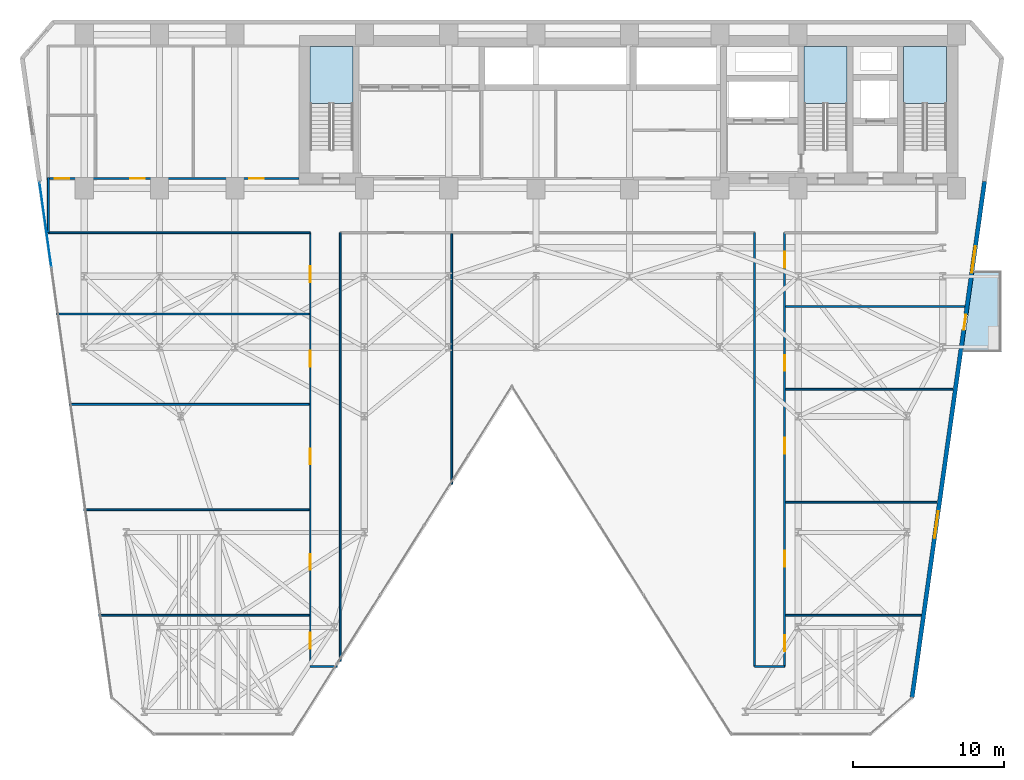
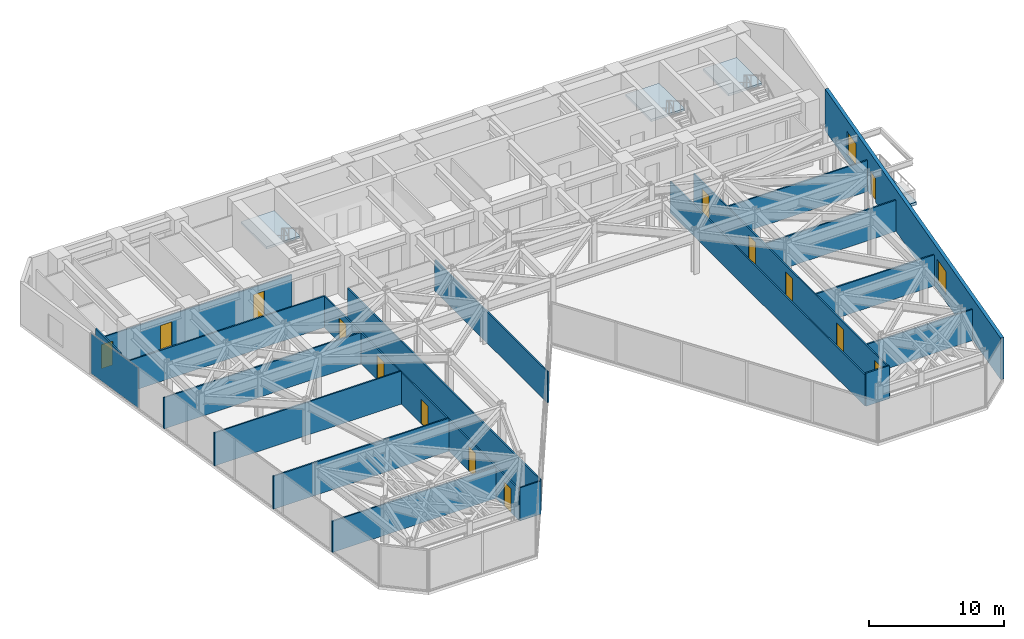
# One storey, part 19 of 24: 19 walls, 14 doors, 4 slabs, 2 windows, 1 plate, 16 openings, 4 elements without a shape of their own.
"""IFC4 building model written with IfcOpenShell, lengths in metres."""

import ifcopenshell
import ifcopenshell.guid

model = None  # the IFC model being written
_history = None  # IfcOwnerHistory: only IFC2X3 demands one
_inside = {}  # id of a spatial element -> (the spatial element, [elements in it])
_under = {}  # id of a project, library or spatial element -> (it, [spatial elements below it])
_declared = {}  # id of a project -> (the project, [libraries it declares])
_typed = {}  # id of a type object -> (the type object, [elements of that type])
_made_of = {}  # id of a material, layer set ... -> (it, [elements and type objects made of it])


def new_model(schema):
    """Start an empty IFC model of exactly this schema.

    Asked for "IFC4X3", IfcOpenShell would pick the latest addendum, in which some entities
    have other attributes; the version numbers below select the first issue.
    IFC2X3 requires an IfcOwnerHistory on every rooted entity: one is made here for all.
    """
    global model, _history
    if schema == "IFC4X3":
        model = ifcopenshell.file(schema_version=(4, 3, 0, 0))
    else:
        model = ifcopenshell.file(schema=schema)
    _inside.clear()
    _under.clear()
    _declared.clear()
    _typed.clear()
    _made_of.clear()
    _history = None
    if model.schema == "IFC2X3":
        org = make("IfcOrganization", Name="unknown")
        user = make(
            "IfcPersonAndOrganization",
            ThePerson=make("IfcPerson", FamilyName="unknown"),
            TheOrganization=org,
        )
        app = make(
            "IfcApplication",
            ApplicationDeveloper=org,
            Version="unknown",
            ApplicationFullName="unknown",
            ApplicationIdentifier="unknown",
        )
        _history = make(
            "IfcOwnerHistory",
            OwningUser=user,
            OwningApplication=app,
            ChangeAction="ADDED",
            CreationDate=0,
        )
    return model


def make(cls, **values):
    """One entity of the class cls with the attributes given. An attribute that is None is left unset."""
    return model.create_entity(
        cls, **{name: value for name, value in values.items() if value is not None}
    )


def rooted(cls, **values):
    """An entity with a GlobalId (a new one), such as an element, a storey or a relation."""
    return make(cls, GlobalId=ifcopenshell.guid.new(), OwnerHistory=_history, **values)


def si_unit(unit_type, name, prefix=None):
    """IfcSIUnit, for example si_unit("LENGTHUNIT", "METRE", prefix="MILLI")."""
    return make("IfcSIUnit", UnitType=unit_type, Prefix=prefix, Name=name)


def assignment(units):
    """IfcUnitAssignment: the units of a project."""
    return None if units is None else make("IfcUnitAssignment", Units=units)


def point(xyz):
    """IfcCartesianPoint."""
    return None if xyz is None else make("IfcCartesianPoint", Coordinates=xyz)


def direction(xyz):
    """IfcDirection."""
    return None if xyz is None else make("IfcDirection", DirectionRatios=xyz)


def frame(location, z_axis=None, x_axis=None):
    """IfcAxis2Placement3D, a coordinate frame: its origin and axes. An axis left out is left unset."""
    return make(
        "IfcAxis2Placement3D",
        Location=point(location),
        Axis=direction(z_axis),
        RefDirection=direction(x_axis),
    )


def frame_2d(location, x_axis=None):
    """IfcAxis2Placement2D, a coordinate frame in the plane: its origin and x axis."""
    return make(
        "IfcAxis2Placement2D", Location=point(location), RefDirection=direction(x_axis)
    )


def origin():
    """The frame at (0, 0, 0) with its axes left unset."""
    return frame((0.0, 0.0, 0.0))


def origin_2d():
    """The frame at (0, 0) in the plane with its x axis left unset."""
    return frame_2d((0.0, 0.0))


def place(relative_to, where):
    """IfcLocalPlacement: puts the frame where relative to a parent placement (None: the world)."""
    return make(
        "IfcLocalPlacement", PlacementRelTo=relative_to, RelativePlacement=where
    )


def context(
    kind, dimensions, precision=None, world=None, true_north=None, identifier=None
):
    """IfcGeometricRepresentationContext, for example the 3D "Model" context."""
    return make(
        "IfcGeometricRepresentationContext",
        ContextIdentifier=identifier,
        ContextType=kind,
        CoordinateSpaceDimension=dimensions,
        Precision=precision,
        WorldCoordinateSystem=world,
        TrueNorth=true_north,
    )


def subcontext(parent, identifier, kind, view, scale=None):
    """IfcGeometricRepresentationSubContext, for example "Body" below "Model"."""
    return make(
        "IfcGeometricRepresentationSubContext",
        ContextIdentifier=identifier,
        ContextType=kind,
        ParentContext=parent,
        TargetScale=scale,
        TargetView=view,
    )


def project(units=None, contexts=None):
    """IfcProject with its units and contexts."""
    return rooted(
        "IfcProject",
        Name="project",
        RepresentationContexts=contexts,
        UnitsInContext=assignment(units),
    )


def spatial(cls, under=None, at=None, **own):
    """A site, building, storey or space (cls), placed at a placement, below another one or the project."""
    s = rooted(cls, ObjectPlacement=at, **own)
    if under is not None:
        _under.setdefault(under.id(), (under, []))[1].append(s)
    return s


def polyline(points):
    """IfcPolyline through the points."""
    return make("IfcPolyline", Points=[point(p) for p in points])


def profile(cls, at=None, kind="AREA", **sizes):
    """A parametric profile (cls). Its sizes go by their IFC names, for example OverallWidth=200.0."""
    return make(cls, ProfileType=kind, Position=at, **sizes)


def rectangle(**sizes):
    """IfcRectangleProfileDef."""
    return profile("IfcRectangleProfileDef", **sizes)


def outline(outer, holes=None, kind="AREA"):
    """IfcArbitraryClosedProfileDef: a profile drawn as a closed curve; with holes, ...WithVoids."""
    if holes is None:
        return make("IfcArbitraryClosedProfileDef", ProfileType=kind, OuterCurve=outer)
    return make(
        "IfcArbitraryProfileDefWithVoids",
        ProfileType=kind,
        OuterCurve=outer,
        InnerCurves=holes,
    )


def extrude(swept, where, along, depth):
    """IfcExtrudedAreaSolid: the profile swept, set in the frame where, extruded along a direction by depth."""
    return make(
        "IfcExtrudedAreaSolid",
        SweptArea=swept,
        Position=where,
        ExtrudedDirection=direction(along),
        Depth=depth,
    )


def shape(context_of_items, identifier, shape_type, items):
    """IfcShapeRepresentation: the items that make up one representation, for example the "Body"."""
    return make(
        "IfcShapeRepresentation",
        ContextOfItems=context_of_items,
        RepresentationIdentifier=identifier,
        RepresentationType=shape_type,
        Items=items,
    )


def material(Name=None, Category=None):
    """IfcMaterial."""
    return make("IfcMaterial", Name=Name, Category=Category)


def layer(
    of_material, thickness, ventilated=None, Name=None, Category=None, Priority=None
):
    """IfcMaterialLayer: one layer of a wall or slab, of a material (None: an air gap)."""
    return make(
        "IfcMaterialLayer",
        Material=of_material,
        LayerThickness=thickness,
        IsVentilated=ventilated,
        Name=Name,
        Category=Category,
        Priority=Priority,
    )


def layer_set(layers, Name=None):
    """IfcMaterialLayerSet."""
    return make("IfcMaterialLayerSet", MaterialLayers=layers, LayerSetName=Name)


def made_of(thing, what):
    """Note that an element or type object is made of a material, layer set ...; save() writes the relation."""
    if what is not None:
        _made_of.setdefault(what.id(), (what, []))[1].append(thing)
    return thing


def type_object(cls, material=None, **own):
    """A type object (cls), such as IfcWallType, which elements share."""
    return made_of(rooted(cls, **own), material)


def element(
    cls,
    number,
    at=None,
    inside=None,
    cuts=None,
    type_object=None,
    material=None,
    context=None,
    identifier="Body",
    shape_type=None,
    held_by="IfcProductDefinitionShape",
    body=None,
    shapes=None,
    **own,
):
    """One element of the class cls, such as IfcWall. Its Tag is "e" and its number.

    at: its placement. inside: the storey or other place that contains it. cuts: it is an
    opening in that element (IfcRelVoidsElement). A single representation is given by context,
    identifier, shape_type and body (its items); several are given by shapes. held_by: the class
    of the entity that holds the representations. save() writes the other relations.
    """
    e = rooted(cls, Tag="e%d" % number, ObjectPlacement=at, **own)
    if body is not None:
        shapes = [shape(context, identifier, shape_type, body)]
    if shapes is not None:
        e.Representation = make(held_by, Representations=shapes)
    if inside is not None:
        _inside.setdefault(inside.id(), (inside, []))[1].append(e)
    if cuts is not None:
        rooted(
            "IfcRelVoidsElement", RelatingBuildingElement=cuts, RelatedOpeningElement=e
        )
    if type_object is not None:
        _typed.setdefault(type_object.id(), (type_object, []))[1].append(e)
    return made_of(e, material)


def fill(opening, filler):
    """IfcRelFillsElement: the door or window that sits in an opening."""
    return rooted(
        "IfcRelFillsElement",
        RelatingOpeningElement=opening,
        RelatedBuildingElement=filler,
    )


def aggregate(whole, parts):
    """IfcRelAggregates: a whole, such as a stair, and the parts it consists of."""
    return rooted("IfcRelAggregates", RelatingObject=whole, RelatedObjects=parts)


def save(model, path):
    """Write the relations noted so far, then the file.

    IfcRelAggregates (storeys below a building ...), IfcRelContainedInSpatialStructure (elements
    in a storey), IfcRelDefinesByType, IfcRelAssociatesMaterial and IfcRelDeclares: one each for
    every whole, place, type object, material and project.
    """
    for whole, parts in _under.values():
        aggregate(whole, parts)
    for where, things in _inside.values():
        rooted(
            "IfcRelContainedInSpatialStructure",
            RelatedElements=things,
            RelatingStructure=where,
        )
    for kind, things in _typed.values():
        rooted("IfcRelDefinesByType", RelatedObjects=things, RelatingType=kind)
    for what, things in _made_of.values():
        rooted("IfcRelAssociatesMaterial", RelatedObjects=things, RelatingMaterial=what)
    for by, libraries in _declared.values():
        rooted("IfcRelDeclares", RelatingContext=by, RelatedDefinitions=libraries)
    model.write(path)


model = new_model("IFC4")

# Units and contexts
model_context = context("Model", 3, precision=1e-05, world=origin(), true_north=direction((0.0, 1.0)))
body_context = subcontext(model_context, "Body", "Model", "MODEL_VIEW")
ifc_project = project(units=[si_unit("LENGTHUNIT", "METRE"), si_unit("AREAUNIT", "SQUARE_METRE"), si_unit("VOLUMEUNIT", "CUBIC_METRE"), si_unit("PLANEANGLEUNIT", "RADIAN"), si_unit("MASSUNIT", "GRAM", prefix="KILO")], contexts=[model_context])

# Site, building, storey
site_placement = place(None, origin())
site = spatial("IfcSite", under=ifc_project, at=site_placement, CompositionType="ELEMENT")
building_placement = place(site_placement, origin())
building = spatial("IfcBuilding", under=site, at=building_placement, Name="Kravanh Interchange Tower", CompositionType="ELEMENT")
storey_placement = place(building_placement, frame((0.0, 0.0, 61.5)))
storey = spatial("IfcBuildingStorey", under=building, at=storey_placement, Name="L14", CompositionType="ELEMENT", Elevation=61.5)

# Stair, slab
ifc_material_1 = material(Name="Concrete C50/60", Category="concrete")
stair_type = type_object("IfcStairType", Name="Core Fire Exit Dogleg Stair Concrete C50/60", PredefinedType="HALF_TURN_STAIR", material=ifc_material_1)
stair_1_placement = place(storey_placement, origin())
stair_1 = element("IfcStair", 1, at=stair_1_placement, inside=storey, type_object=stair_type, Name="L14 Exit Stair ST1", PredefinedType="HALF_TURN_STAIR")
ifc_material_2 = material(Name="Concrete C50/60", Category="concrete")
ifc_layer_1 = layer(ifc_material_2, 0.199951171875)
ifc_layer_set_1 = layer_set([ifc_layer_1], Name="Concrete C50/60 Stair Half-Landing Slab 200mm")
slab_type_1 = type_object("IfcSlabType", Name="Concrete C50/60 Stair Half-Landing Slab 200mm", PredefinedType="LANDING", material=ifc_layer_set_1)
slab_1_placement = place(storey_placement, frame((0.0, 0.0, 1.800048828125)))
slab_1 = element("IfcSlab", 2, at=slab_1_placement, type_object=slab_type_1, Name="ST1 landing 1", PredefinedType="LANDING", context=body_context, shape_type="SweptSolid", body=[
    extrude(outline(polyline([(65.85009765625, 42.97998046875), (65.85009765625, 46.75), (63.0, 46.75), (63.0, 42.97998046875), (65.85009765625, 42.97998046875)])), origin(), (0.0, 0.0, 1.0), 0.199951171875),
])
aggregate(stair_1, [slab_1])

stair_2_placement = place(storey_placement, origin())
stair_2 = element("IfcStair", 3, at=stair_2_placement, inside=storey, type_object=stair_type, Name="L14 Exit Stair ST2", PredefinedType="HALF_TURN_STAIR")
slab_2_placement = place(storey_placement, frame((0.0, 0.0, 1.800048828125)))
slab_2 = element("IfcSlab", 4, at=slab_2_placement, type_object=slab_type_1, Name="ST2 landing 1", PredefinedType="LANDING", context=body_context, shape_type="SweptSolid", body=[
    extrude(outline(polyline([(59.25, 42.97998046875), (59.25, 46.75), (56.39990234375, 46.75), (56.39990234375, 42.97998046875), (59.25, 42.97998046875)])), origin(), (0.0, 0.0, 1.0), 0.199951171875),
])
aggregate(stair_2, [slab_2])

stair_3_placement = place(storey_placement, origin())
stair_3 = element("IfcStair", 5, at=stair_3_placement, inside=storey, type_object=stair_type, Name="L14 Exit Stair ST3", PredefinedType="HALF_TURN_STAIR")
slab_3_placement = place(storey_placement, frame((0.0, 0.0, 1.800048828125)))
slab_3 = element("IfcSlab", 6, at=slab_3_placement, type_object=slab_type_1, Name="ST3 landing 1", PredefinedType="LANDING", context=body_context, shape_type="SweptSolid", body=[
    extrude(outline(polyline([(26.449951171875, 42.97998046875), (26.449951171875, 46.75), (23.60009765625, 46.75), (23.60009765625, 42.97998046875), (26.449951171875, 42.97998046875)])), origin(), (0.0, 0.0, 1.0), 0.199951171875),
])
aggregate(stair_3, [slab_3])

# Slab
ifc_material_3 = material(Name="Concrete C50/60", Category="concrete")
ifc_layer_2 = layer(ifc_material_3, 0.199951171875)
ifc_layer_set_2 = layer_set([ifc_layer_2], Name="Planted Tree Balcony Slab Concrete C50/60 200mm")
slab_type_2 = type_object("IfcSlabType", Name="Planted Tree Balcony Slab Concrete C50/60 200mm", PredefinedType="USERDEFINED", material=ifc_layer_set_2)
slab_4_placement = place(storey_placement, frame((0.0, 0.0, -0.260009765625)))
element("IfcSlab", 7, at=slab_4_placement, inside=storey, type_object=slab_type_2, Name="L14 East Tree Planter Balcony Slab", ObjectType="BALCONY", PredefinedType="USERDEFINED", context=body_context, shape_type="SweptSolid", body=[
    extrude(outline(polyline([(69.489990234375, 31.8701171875), (69.489990234375, 26.469970703125), (66.9189453125, 26.469970703125), (67.677978515625, 31.8701171875), (69.489990234375, 31.8701171875)])), origin(), (0.0, 0.0, 1.0), 0.260009765625),
])

# Curtain wall, plate
ifc_material_4 = material(Name="Anodised Bronze Aluminium", Category="aluminium")
ifc_layer_3 = layer(ifc_material_4, 0.179931640625)
ifc_layer_set_3 = layer_set([ifc_layer_3], Name="Unitised Curtain Wall System CW-Z1 Lower Office")
curtain_wall_type = type_object("IfcCurtainWallType", Name="Unitised Curtain Wall System CW-Z1 Lower Office", PredefinedType="NOTDEFINED", material=ifc_layer_set_3)
curtain_wall_placement = place(storey_placement, origin())
curtain_wall = element("IfcCurtainWall", 8, at=curtain_wall_placement, inside=storey, type_object=curtain_wall_type, Name="L14 Unitised Curtain Wall CW-L14-01", PredefinedType="NOTDEFINED")
ifc_material_5 = material(Name="Low-E Laminated Architectural Glass", Category="glass")
ifc_layer_4 = layer(ifc_material_5, 0.028076171875)
ifc_layer_set_4 = layer_set([ifc_layer_4], Name="Solar-Control Double Glazing 28mm")
plate_type = type_object("IfcPlateType", Name="Solar-Control Double Glazing 28mm", PredefinedType="CURTAIN_PANEL", material=ifc_layer_set_4)
plate_placement = place(storey_placement, frame((6.028564453125, 34.927490234375, 0.06005859375), z_axis=(0.0, 0.0, 1.0), x_axis=(-0.139176538065, 0.990267585682, 0.0)))
plate = element("IfcPlate", 9, at=plate_placement, type_object=plate_type, Name="CW-Z1 panel 6.1", PredefinedType="CURTAIN_PANEL", context=body_context, shape_type="SweptSolid", body=[
    extrude(rectangle(XDim=5.66162109375, YDim=0.028076171875, at=origin_2d()), origin(), (0.0, 0.0, 1.0), 3.6201171875),
])
aggregate(curtain_wall, [plate])

# Wall, openings, doors
ifc_material_6 = material(Name="Double Acoustic Gypsum Board and Mineral Wool")
ifc_layer_5 = layer(ifc_material_6, 0.1201171875)
ifc_layer_set_5 = layer_set([ifc_layer_5], Name="Acoustic Office Drywall Partition 120mm")
wall_type_1 = type_object("IfcWallType", Name="Acoustic Office Drywall Partition 120mm", PredefinedType="PARTITIONING", material=ifc_layer_set_5)
wall_1_placement = place(storey_placement, frame((6.219970703125, 38.0, 0.0), z_axis=(0.0, 0.0, 1.0), x_axis=(1.0, 0.0, 0.0)))
wall_1 = element("IfcWall", 10, at=wall_1_placement, inside=storey, type_object=wall_type_1, Name="L14 Restroom Corridor Wall 7", PredefinedType="PARTITIONING", context=body_context, shape_type="SweptSolid", body=[
    extrude(rectangle(XDim=16.630126953125, YDim=0.1201171875, at=frame_2d((8.31494140625, 0.0))), origin(), (0.0, 0.0, 1.0), 2.81298828125),
])
opening_1_placement = place(wall_1_placement, frame((0.424072265625, 0.0, 0.0)))
opening_1 = element("IfcOpeningElement", 11, at=opening_1_placement, cuts=wall_1, Name="Opening D-95", PredefinedType="OPENING", context=body_context, shape_type="SweptSolid", body=[
    extrude(rectangle(XDim=0.949951171875, YDim=2.14990234375, at=frame_2d((0.47509765625, 1.074951171875))), frame((0.0, 0.070068359375, 0.0), z_axis=(0.0, -1.0, 0.0), x_axis=(1.0, 0.0, 0.0)), (0.0, 0.0, 1.0), 0.14013671875),
])
opening_2_placement = place(wall_1_placement, frame((5.444091796875, 0.0, 0.0)))
opening_2 = element("IfcOpeningElement", 12, at=opening_2_placement, cuts=wall_1, Name="Opening D-95", PredefinedType="OPENING", context=body_context, shape_type="SweptSolid", body=[
    extrude(rectangle(XDim=0.949951171875, YDim=2.14990234375, at=frame_2d((0.47509765625, 1.074951171875))), frame((0.0, 0.070068359375, 0.0), z_axis=(0.0, -1.0, 0.0), x_axis=(1.0, 0.0, 0.0)), (0.0, 0.0, 1.0), 0.14013671875),
])
opening_3_placement = place(wall_1_placement, frame((13.343994140625, 0.0, 0.0)))
opening_3 = element("IfcOpeningElement", 13, at=opening_3_placement, cuts=wall_1, Name="Opening D-95", PredefinedType="OPENING", context=body_context, shape_type="SweptSolid", body=[
    extrude(rectangle(XDim=0.949951171875, YDim=2.14990234375, at=frame_2d((0.47509765625, 1.074951171875))), frame((0.0, 0.070068359375, 0.0), z_axis=(0.0, -1.0, 0.0), x_axis=(1.0, 0.0, 0.0)), (0.0, 0.0, 1.0), 0.14013671875),
])
ifc_material_7 = material(Name="Laminate Solid-Core Timber", Category="wood")
door_type_1 = type_object("IfcDoorType", Name="Accessible Restroom Door 950x2150", OperationType="NOTDEFINED", PredefinedType="DOOR", material=ifc_material_7)
door_1_placement = place(opening_1_placement, origin())
door_1 = element("IfcDoor", 14, at=door_1_placement, inside=storey, type_object=door_type_1, Name="L14 Accessible WC Door", OperationType="SINGLE_SWING_RIGHT", OverallHeight=2.14990234375, OverallWidth=0.949951171875, PredefinedType="DOOR", context=body_context, shape_type="SweptSolid", body=[
    extrude(rectangle(XDim=0.949951171875, YDim=2.14990234375, at=frame_2d((0.47509765625, 1.074951171875))), frame((0.0, 0.02490234375, 0.0), z_axis=(0.0, -1.0, 0.0), x_axis=(1.0, 0.0, 0.0)), (0.0, 0.0, 1.0), 0.050048828125),
])
fill(opening_1, door_1)
door_2_placement = place(opening_2_placement, origin())
door_2 = element("IfcDoor", 15, at=door_2_placement, inside=storey, type_object=door_type_1, Name="L14 Female WC Door", OperationType="SINGLE_SWING_LEFT", OverallHeight=2.14990234375, OverallWidth=0.949951171875, PredefinedType="DOOR", context=body_context, shape_type="SweptSolid", body=[
    extrude(rectangle(XDim=0.949951171875, YDim=2.14990234375, at=frame_2d((0.47509765625, 1.074951171875))), frame((0.0, 0.02490234375, 0.0), z_axis=(0.0, -1.0, 0.0), x_axis=(1.0, 0.0, 0.0)), (0.0, 0.0, 1.0), 0.050048828125),
])
fill(opening_2, door_2)
door_3_placement = place(opening_3_placement, origin())
door_3 = element("IfcDoor", 16, at=door_3_placement, inside=storey, type_object=door_type_1, Name="L14 Male WC Door", OperationType="SINGLE_SWING_RIGHT", OverallHeight=2.14990234375, OverallWidth=0.949951171875, PredefinedType="DOOR", context=body_context, shape_type="SweptSolid", body=[
    extrude(rectangle(XDim=0.949951171875, YDim=2.14990234375, at=frame_2d((0.47509765625, 1.074951171875))), frame((0.0, 0.02490234375, 0.0), z_axis=(0.0, -1.0, 0.0), x_axis=(1.0, 0.0, 0.0)), (0.0, 0.0, 1.0), 0.050048828125),
])
fill(opening_3, door_3)

# Walls
wall_2_placement = place(storey_placement, frame((6.219970703125, 34.39990234375, 0.0), z_axis=(0.0, 0.0, 1.0), x_axis=(1.0, 0.0, 0.0)))
element("IfcWall", 17, at=wall_2_placement, inside=storey, type_object=wall_type_1, Name="L14 Interior Partition 13", PredefinedType="PARTITIONING", context=body_context, shape_type="SweptSolid", body=[
    extrude(rectangle(XDim=17.380126953125, YDim=0.1201171875, at=frame_2d((8.68994140625, 0.0))), origin(), (0.0, 0.0, 1.0), 2.81298828125),
])
wall_3_placement = place(storey_placement, frame((6.219970703125, 34.39990234375, 0.0), z_axis=(0.0, 0.0, 1.0), x_axis=(0.0, 1.0, 0.0)))
element("IfcWall", 18, at=wall_3_placement, inside=storey, type_object=wall_type_1, Name="L14 Interior Partition 16", PredefinedType="PARTITIONING", context=body_context, shape_type="SweptSolid", body=[
    extrude(rectangle(XDim=3.650146484375, YDim=0.1201171875, at=frame_2d((1.8251953125, 0.0))), origin(), (0.0, 0.0, 1.0), 3.739990234375),
])

# Wall, openings, doors
wall_4_placement = place(storey_placement, frame((23.60009765625, 5.60009765625, 0.0), z_axis=(0.0, 0.0, 1.0), x_axis=(0.0, 1.0, 0.0)))
wall_4 = element("IfcWall", 19, at=wall_4_placement, inside=storey, type_object=wall_type_1, Name="L14 Interior Partition 18", PredefinedType="PARTITIONING", context=body_context, shape_type="SweptSolid", body=[
    extrude(rectangle(XDim=28.7998046875, YDim=0.1201171875, at=frame_2d((14.39990234375, 0.0))), origin(), (0.0, 0.0, 1.0), 2.81298828125),
])
opening_4_placement = place(wall_4_placement, frame((1.175048828125, 0.0, 0.0)))
opening_4 = element("IfcOpeningElement", 20, at=opening_4_placement, cuts=wall_4, Name="Opening D-105", PredefinedType="OPENING", context=body_context, shape_type="SweptSolid", body=[
    extrude(rectangle(XDim=1.050048828125, YDim=2.199951171875, at=frame_2d((0.52490234375, 1.10009765625))), frame((0.0, 0.070068359375, 0.0), z_axis=(0.0, -1.0, 0.0), x_axis=(1.0, 0.0, 0.0)), (0.0, 0.0, 1.0), 0.14013671875),
])
opening_5_placement = place(wall_4_placement, frame((6.41552734375, 0.0, 0.0)))
opening_5 = element("IfcOpeningElement", 21, at=opening_5_placement, cuts=wall_4, Name="Opening D-105", PredefinedType="OPENING", context=body_context, shape_type="SweptSolid", body=[
    extrude(rectangle(XDim=1.050048828125, YDim=2.199951171875, at=frame_2d((0.52490234375, 1.10009765625))), frame((0.0, 0.070068359375, 0.0), z_axis=(0.0, -1.0, 0.0), x_axis=(1.0, 0.0, 0.0)), (0.0, 0.0, 1.0), 0.14013671875),
])
opening_6_placement = place(wall_4_placement, frame((13.41552734375, 0.0, 0.0)))
opening_6 = element("IfcOpeningElement", 22, at=opening_6_placement, cuts=wall_4, Name="Opening D-105", PredefinedType="OPENING", context=body_context, shape_type="SweptSolid", body=[
    extrude(rectangle(XDim=1.050048828125, YDim=2.199951171875, at=frame_2d((0.52490234375, 1.10009765625))), frame((0.0, 0.070068359375, 0.0), z_axis=(0.0, -1.0, 0.0), x_axis=(1.0, 0.0, 0.0)), (0.0, 0.0, 1.0), 0.14013671875),
])
opening_7_placement = place(wall_4_placement, frame((19.915283203125, 0.0, 0.0)))
opening_7 = element("IfcOpeningElement", 23, at=opening_7_placement, cuts=wall_4, Name="Opening D-105", PredefinedType="OPENING", context=body_context, shape_type="SweptSolid", body=[
    extrude(rectangle(XDim=1.050048828125, YDim=2.199951171875, at=frame_2d((0.52490234375, 1.10009765625))), frame((0.0, 0.070068359375, 0.0), z_axis=(0.0, -1.0, 0.0), x_axis=(1.0, 0.0, 0.0)), (0.0, 0.0, 1.0), 0.14013671875),
])
opening_8_placement = place(wall_4_placement, frame((25.509765625, 0.0, 0.0)))
opening_8 = element("IfcOpeningElement", 24, at=opening_8_placement, cuts=wall_4, Name="Opening D-105", PredefinedType="OPENING", context=body_context, shape_type="SweptSolid", body=[
    extrude(rectangle(XDim=1.050048828125, YDim=2.199951171875, at=frame_2d((0.52490234375, 1.10009765625))), frame((0.0, 0.070068359375, 0.0), z_axis=(0.0, -1.0, 0.0), x_axis=(1.0, 0.0, 0.0)), (0.0, 0.0, 1.0), 0.14013671875),
])
ifc_material_8 = material(Name="Acoustic Glazed Oak and Aluminium", Category="aluminium")
door_type_2 = type_object("IfcDoorType", Name="Office Workplace Door 1050x2200", OperationType="NOTDEFINED", PredefinedType="DOOR", material=ifc_material_8)
door_4_placement = place(opening_4_placement, origin())
door_4 = element("IfcDoor", 25, at=door_4_placement, inside=storey, type_object=door_type_2, Name="L14 Office W1 Door", OperationType="SINGLE_SWING_LEFT", OverallHeight=2.199951171875, OverallWidth=1.050048828125, PredefinedType="DOOR", context=body_context, shape_type="SweptSolid", body=[
    extrude(rectangle(XDim=1.050048828125, YDim=2.199951171875, at=frame_2d((0.52490234375, 1.10009765625))), frame((0.0, 0.02490234375, 0.0), z_axis=(0.0, -1.0, 0.0), x_axis=(1.0, 0.0, 0.0)), (0.0, 0.0, 1.0), 0.050048828125),
])
fill(opening_4, door_4)
door_5_placement = place(opening_5_placement, origin())
door_5 = element("IfcDoor", 26, at=door_5_placement, inside=storey, type_object=door_type_2, Name="L14 Office W2 Door", OperationType="SINGLE_SWING_RIGHT", OverallHeight=2.199951171875, OverallWidth=1.050048828125, PredefinedType="DOOR", context=body_context, shape_type="SweptSolid", body=[
    extrude(rectangle(XDim=1.050048828125, YDim=2.199951171875, at=frame_2d((0.52490234375, 1.10009765625))), frame((0.0, 0.02490234375, 0.0), z_axis=(0.0, -1.0, 0.0), x_axis=(1.0, 0.0, 0.0)), (0.0, 0.0, 1.0), 0.050048828125),
])
fill(opening_5, door_5)
door_6_placement = place(opening_6_placement, origin())
door_6 = element("IfcDoor", 27, at=door_6_placement, inside=storey, type_object=door_type_2, Name="L14 Office W3 Door", OperationType="SINGLE_SWING_LEFT", OverallHeight=2.199951171875, OverallWidth=1.050048828125, PredefinedType="DOOR", context=body_context, shape_type="SweptSolid", body=[
    extrude(rectangle(XDim=1.050048828125, YDim=2.199951171875, at=frame_2d((0.52490234375, 1.10009765625))), frame((0.0, 0.02490234375, 0.0), z_axis=(0.0, -1.0, 0.0), x_axis=(1.0, 0.0, 0.0)), (0.0, 0.0, 1.0), 0.050048828125),
])
fill(opening_6, door_6)
door_7_placement = place(opening_7_placement, origin())
door_7 = element("IfcDoor", 28, at=door_7_placement, inside=storey, type_object=door_type_2, Name="L14 West Balcony Office W4 Door", OperationType="SINGLE_SWING_RIGHT", OverallHeight=2.199951171875, OverallWidth=1.050048828125, PredefinedType="DOOR", context=body_context, shape_type="SweptSolid", body=[
    extrude(rectangle(XDim=1.050048828125, YDim=2.199951171875, at=frame_2d((0.52490234375, 1.10009765625))), frame((0.0, 0.02490234375, 0.0), z_axis=(0.0, -1.0, 0.0), x_axis=(1.0, 0.0, 0.0)), (0.0, 0.0, 1.0), 0.050048828125),
])
fill(opening_7, door_7)
door_8_placement = place(opening_8_placement, origin())
door_8 = element("IfcDoor", 29, at=door_8_placement, inside=storey, type_object=door_type_2, Name="L14 Office W5 Door", OperationType="SINGLE_SWING_LEFT", OverallHeight=2.199951171875, OverallWidth=1.050048828125, PredefinedType="DOOR", context=body_context, shape_type="SweptSolid", body=[
    extrude(rectangle(XDim=1.050048828125, YDim=2.199951171875, at=frame_2d((0.52490234375, 1.10009765625))), frame((0.0, 0.02490234375, 0.0), z_axis=(0.0, -1.0, 0.0), x_axis=(1.0, 0.0, 0.0)), (0.0, 0.0, 1.0), 0.050048828125),
])
fill(opening_8, door_8)

# Walls
wall_5_placement = place(storey_placement, frame((25.60009765625, 5.9453125, 0.0), z_axis=(0.0, 0.0, 1.0), x_axis=(0.0, 1.0, 0.0)))
element("IfcWall", 30, at=wall_5_placement, inside=storey, type_object=wall_type_1, Name="L14 Interior Partition 19", PredefinedType="PARTITIONING", context=body_context, shape_type="SweptSolid", body=[
    extrude(rectangle(XDim=28.45458984375, YDim=0.1201171875, at=frame_2d((14.227294921875, 0.0))), origin(), (0.0, 0.0, 1.0), 2.81298828125),
])
wall_6_placement = place(storey_placement, frame((23.60009765625, 5.60009765625, 0.0), z_axis=(0.0, 0.0, 1.0), x_axis=(1.0, 0.0, 0.0)))
element("IfcWall", 31, at=wall_6_placement, inside=storey, type_object=wall_type_1, Name="L14 Interior Partition 20", PredefinedType="PARTITIONING", context=body_context, shape_type="SweptSolid", body=[
    extrude(rectangle(XDim=1.7822265625, YDim=0.1201171875, at=frame_2d((0.89111328125, 0.0))), origin(), (0.0, 0.0, 1.0), 2.97802734375),
])
wall_7_placement = place(storey_placement, frame((53.10009765625, 5.60009765625, 0.0), z_axis=(0.0, 0.0, 1.0), x_axis=(0.0, 1.0, 0.0)))
element("IfcWall", 32, at=wall_7_placement, inside=storey, type_object=wall_type_1, Name="L14 Interior Partition 21", PredefinedType="PARTITIONING", context=body_context, shape_type="SweptSolid", body=[
    extrude(rectangle(XDim=28.7998046875, YDim=0.1201171875, at=frame_2d((14.39990234375, 0.0))), origin(), (0.0, 0.0, 1.0), 2.81298828125),
])

# Wall, openings, doors
wall_8_placement = place(storey_placement, frame((55.10009765625, 5.60009765625, 0.0), z_axis=(0.0, 0.0, 1.0), x_axis=(0.0, 1.0, 0.0)))
wall_8 = element("IfcWall", 33, at=wall_8_placement, inside=storey, type_object=wall_type_1, Name="L14 Interior Partition 22", PredefinedType="PARTITIONING", context=body_context, shape_type="SweptSolid", body=[
    extrude(rectangle(XDim=28.7998046875, YDim=0.1201171875, at=frame_2d((14.39990234375, 0.0))), origin(), (0.0, 0.0, 1.0), 2.81298828125),
])
opening_9_placement = place(wall_8_placement, frame((1.00927734375, 0.0, 0.0)))
opening_9 = element("IfcOpeningElement", 34, at=opening_9_placement, cuts=wall_8, Name="Opening D-105", PredefinedType="OPENING", context=body_context, shape_type="SweptSolid", body=[
    extrude(rectangle(XDim=1.050048828125, YDim=2.199951171875, at=frame_2d((0.52490234375, 1.10009765625))), frame((0.0, 0.070068359375, 0.0), z_axis=(0.0, -1.0, 0.0), x_axis=(1.0, 0.0, 0.0)), (0.0, 0.0, 1.0), 0.14013671875),
])
opening_10_placement = place(wall_8_placement, frame((6.625, 0.0, 0.0)))
opening_10 = element("IfcOpeningElement", 35, at=opening_10_placement, cuts=wall_8, Name="Opening D-105", PredefinedType="OPENING", context=body_context, shape_type="SweptSolid", body=[
    extrude(rectangle(XDim=1.050048828125, YDim=2.199951171875, at=frame_2d((0.52490234375, 1.10009765625))), frame((0.0, 0.070068359375, 0.0), z_axis=(0.0, -1.0, 0.0), x_axis=(1.0, 0.0, 0.0)), (0.0, 0.0, 1.0), 0.14013671875),
])
opening_11_placement = place(wall_8_placement, frame((14.125, 0.0, 0.0)))
opening_11 = element("IfcOpeningElement", 36, at=opening_11_placement, cuts=wall_8, Name="Opening D-105", PredefinedType="OPENING", context=body_context, shape_type="SweptSolid", body=[
    extrude(rectangle(XDim=1.050048828125, YDim=2.199951171875, at=frame_2d((0.52490234375, 1.10009765625))), frame((0.0, 0.070068359375, 0.0), z_axis=(0.0, -1.0, 0.0), x_axis=(1.0, 0.0, 0.0)), (0.0, 0.0, 1.0), 0.14013671875),
])
opening_12_placement = place(wall_8_placement, frame((19.62255859375, 0.0, 0.0)))
opening_12 = element("IfcOpeningElement", 37, at=opening_12_placement, cuts=wall_8, Name="Opening D-105", PredefinedType="OPENING", context=body_context, shape_type="SweptSolid", body=[
    extrude(rectangle(XDim=1.050048828125, YDim=2.199951171875, at=frame_2d((0.52490234375, 1.10009765625))), frame((0.0, 0.070068359375, 0.0), z_axis=(0.0, -1.0, 0.0), x_axis=(1.0, 0.0, 0.0)), (0.0, 0.0, 1.0), 0.14013671875),
])
opening_13_placement = place(wall_8_placement, frame((26.47998046875, 0.0, 0.0)))
opening_13 = element("IfcOpeningElement", 38, at=opening_13_placement, cuts=wall_8, Name="Opening D-105", PredefinedType="OPENING", context=body_context, shape_type="SweptSolid", body=[
    extrude(rectangle(XDim=1.050048828125, YDim=2.199951171875, at=frame_2d((0.52490234375, 1.10009765625))), frame((0.0, 0.070068359375, 0.0), z_axis=(0.0, -1.0, 0.0), x_axis=(1.0, 0.0, 0.0)), (0.0, 0.0, 1.0), 0.14013671875),
])
door_9_placement = place(opening_9_placement, origin())
door_9 = element("IfcDoor", 39, at=door_9_placement, inside=storey, type_object=door_type_2, Name="L14 Office E1 Door", OperationType="SINGLE_SWING_RIGHT", OverallHeight=2.199951171875, OverallWidth=1.050048828125, PredefinedType="DOOR", context=body_context, shape_type="SweptSolid", body=[
    extrude(rectangle(XDim=1.050048828125, YDim=2.199951171875, at=frame_2d((0.52490234375, 1.10009765625))), frame((0.0, 0.02490234375, 0.0), z_axis=(0.0, -1.0, 0.0), x_axis=(1.0, 0.0, 0.0)), (0.0, 0.0, 1.0), 0.050048828125),
])
fill(opening_9, door_9)
door_10_placement = place(opening_10_placement, origin())
door_10 = element("IfcDoor", 40, at=door_10_placement, inside=storey, type_object=door_type_2, Name="L14 Office E2 Door", OperationType="SINGLE_SWING_LEFT", OverallHeight=2.199951171875, OverallWidth=1.050048828125, PredefinedType="DOOR", context=body_context, shape_type="SweptSolid", body=[
    extrude(rectangle(XDim=1.050048828125, YDim=2.199951171875, at=frame_2d((0.52490234375, 1.10009765625))), frame((0.0, 0.02490234375, 0.0), z_axis=(0.0, -1.0, 0.0), x_axis=(1.0, 0.0, 0.0)), (0.0, 0.0, 1.0), 0.050048828125),
])
fill(opening_10, door_10)
door_11_placement = place(opening_11_placement, origin())
door_11 = element("IfcDoor", 41, at=door_11_placement, inside=storey, type_object=door_type_2, Name="L14 Office E3 Door", OperationType="SINGLE_SWING_RIGHT", OverallHeight=2.199951171875, OverallWidth=1.050048828125, PredefinedType="DOOR", context=body_context, shape_type="SweptSolid", body=[
    extrude(rectangle(XDim=1.050048828125, YDim=2.199951171875, at=frame_2d((0.52490234375, 1.10009765625))), frame((0.0, 0.02490234375, 0.0), z_axis=(0.0, -1.0, 0.0), x_axis=(1.0, 0.0, 0.0)), (0.0, 0.0, 1.0), 0.050048828125),
])
fill(opening_11, door_11)
door_12_placement = place(opening_12_placement, origin())
door_12 = element("IfcDoor", 42, at=door_12_placement, inside=storey, type_object=door_type_2, Name="L14 East Balcony Meeting Door", OperationType="SINGLE_SWING_LEFT", OverallHeight=2.199951171875, OverallWidth=1.050048828125, PredefinedType="DOOR", context=body_context, shape_type="SweptSolid", body=[
    extrude(rectangle(XDim=1.050048828125, YDim=2.199951171875, at=frame_2d((0.52490234375, 1.10009765625))), frame((0.0, 0.02490234375, 0.0), z_axis=(0.0, -1.0, 0.0), x_axis=(1.0, 0.0, 0.0)), (0.0, 0.0, 1.0), 0.050048828125),
])
fill(opening_12, door_12)
door_13_placement = place(opening_13_placement, origin())
door_13 = element("IfcDoor", 43, at=door_13_placement, inside=storey, type_object=door_type_2, Name="L14 Meeting Room NE Door", OperationType="SINGLE_SWING_RIGHT", OverallHeight=2.199951171875, OverallWidth=1.050048828125, PredefinedType="DOOR", context=body_context, shape_type="SweptSolid", body=[
    extrude(rectangle(XDim=1.050048828125, YDim=2.199951171875, at=frame_2d((0.52490234375, 1.10009765625))), frame((0.0, 0.02490234375, 0.0), z_axis=(0.0, -1.0, 0.0), x_axis=(1.0, 0.0, 0.0)), (0.0, 0.0, 1.0), 0.050048828125),
])
fill(opening_13, door_13)

# Walls
wall_9_placement = place(storey_placement, frame((53.10009765625, 5.60009765625, 0.0), z_axis=(0.0, 0.0, 1.0), x_axis=(1.0, 0.0, 0.0)))
element("IfcWall", 44, at=wall_9_placement, inside=storey, type_object=wall_type_1, Name="L14 Interior Partition 23", PredefinedType="PARTITIONING", context=body_context, shape_type="SweptSolid", body=[
    extrude(rectangle(XDim=2.0, YDim=0.1201171875, at=frame_2d((1.0, 0.0))), origin(), (0.0, 0.0, 1.0), 2.97802734375),
])
wall_10_placement = place(storey_placement, frame((9.56640625, 9.0, 0.0), z_axis=(0.0, 0.0, 1.0), x_axis=(1.0, 0.0, 0.0)))
element("IfcWall", 45, at=wall_10_placement, inside=storey, type_object=wall_type_1, Name="L14 Interior Partition 24", PredefinedType="PARTITIONING", context=body_context, shape_type="SweptSolid", body=[
    extrude(rectangle(XDim=13.965576171875, YDim=0.1201171875, at=frame_2d((6.98291015625, 0.0))), origin(), (0.0, 0.0, 1.0), 2.81298828125),
])
wall_11_placement = place(storey_placement, frame((8.582763671875, 16.0, 0.0), z_axis=(0.0, 0.0, 1.0), x_axis=(1.0, 0.0, 0.0)))
element("IfcWall", 46, at=wall_11_placement, inside=storey, type_object=wall_type_1, Name="L14 Interior Partition 25", PredefinedType="PARTITIONING", context=body_context, shape_type="SweptSolid", body=[
    extrude(rectangle(XDim=14.94921875, YDim=0.1201171875, at=frame_2d((7.474609375, 0.0))), origin(), (0.0, 0.0, 1.0), 2.97802734375),
])
wall_12_placement = place(storey_placement, frame((7.598876953125, 23.0, 0.0), z_axis=(0.0, 0.0, 1.0), x_axis=(1.0, 0.0, 0.0)))
element("IfcWall", 47, at=wall_12_placement, inside=storey, type_object=wall_type_1, Name="L14 Interior Partition 26", PredefinedType="PARTITIONING", context=body_context, shape_type="SweptSolid", body=[
    extrude(rectangle(XDim=15.93310546875, YDim=0.1201171875, at=frame_2d((7.966552734375, 0.0))), origin(), (0.0, 0.0, 1.0), 2.97802734375),
])
wall_13_placement = place(storey_placement, frame((6.755615234375, 29.0, 0.0), z_axis=(0.0, 0.0, 1.0), x_axis=(1.0, 0.0, 0.0)))
element("IfcWall", 48, at=wall_13_placement, inside=storey, type_object=wall_type_1, Name="L14 Interior Partition 27", PredefinedType="PARTITIONING", context=body_context, shape_type="SweptSolid", body=[
    extrude(rectangle(XDim=16.7763671875, YDim=0.1201171875, at=frame_2d((8.38818359375, 0.0))), origin(), (0.0, 0.0, 1.0), 2.81298828125),
])
wall_14_placement = place(storey_placement, frame((55.16796875, 9.0, 0.0), z_axis=(0.0, 0.0, 1.0), x_axis=(1.0, 0.0, 0.0)))
element("IfcWall", 49, at=wall_14_placement, inside=storey, type_object=wall_type_1, Name="L14 Interior Partition 28", PredefinedType="PARTITIONING", context=body_context, shape_type="SweptSolid", body=[
    extrude(rectangle(XDim=8.992919921875, YDim=0.1201171875, at=frame_2d((4.49658203125, 0.0))), origin(), (0.0, 0.0, 1.0), 2.81298828125),
])
wall_15_placement = place(storey_placement, frame((55.16796875, 16.5, 0.0), z_axis=(0.0, 0.0, 1.0), x_axis=(1.0, 0.0, 0.0)))
element("IfcWall", 50, at=wall_15_placement, inside=storey, type_object=wall_type_1, Name="L14 Interior Partition 29", PredefinedType="PARTITIONING", context=body_context, shape_type="SweptSolid", body=[
    extrude(rectangle(XDim=10.046875, YDim=0.1201171875, at=frame_2d((5.0234375, 0.0))), origin(), (0.0, 0.0, 1.0), 2.81298828125),
])
wall_16_placement = place(storey_placement, frame((55.16796875, 24.0, 0.0), z_axis=(0.0, 0.0, 1.0), x_axis=(1.0, 0.0, 0.0)))
element("IfcWall", 51, at=wall_16_placement, inside=storey, type_object=wall_type_1, Name="L14 Interior Partition 30", PredefinedType="PARTITIONING", context=body_context, shape_type="SweptSolid", body=[
    extrude(rectangle(XDim=11.10107421875, YDim=0.1201171875, at=frame_2d((5.550537109375, 0.0))), origin(), (0.0, 0.0, 1.0), 2.81298828125),
])
wall_17_placement = place(storey_placement, frame((55.16796875, 29.5, 0.0), z_axis=(0.0, 0.0, 1.0), x_axis=(1.0, 0.0, 0.0)))
element("IfcWall", 52, at=wall_17_placement, inside=storey, type_object=wall_type_1, Name="L14 Interior Partition 31", PredefinedType="PARTITIONING", context=body_context, shape_type="SweptSolid", body=[
    extrude(rectangle(XDim=11.8740234375, YDim=0.1201171875, at=frame_2d((5.93701171875, 0.0))), origin(), (0.0, 0.0, 1.0), 2.81298828125),
])
wall_18_placement = place(storey_placement, frame((33.0, 17.683349609375, 0.0), z_axis=(0.0, 0.0, 1.0), x_axis=(0.0, 1.0, 0.0)))
element("IfcWall", 53, at=wall_18_placement, inside=storey, type_object=wall_type_1, Name="L14 Interior Partition 32", PredefinedType="PARTITIONING", context=body_context, shape_type="SweptSolid", body=[
    extrude(rectangle(XDim=16.648681640625, YDim=0.1201171875, at=frame_2d((8.32421875, 0.0))), origin(), (0.0, 0.0, 1.0), 2.81298828125),
])

# Wall, openings, door, windows
ifc_material_9 = material(Name="Insulated Precast Concrete C40/50 with Bronze Cladding", Category="concrete")
ifc_layer_6 = layer(ifc_material_9, 0.280029296875)
ifc_layer_set_6 = layer_set([ifc_layer_6], Name="Exterior Insulated Concrete C40/50 Bronze Spandrel Wall 280mm")
wall_type_2 = type_object("IfcWallType", Name="Exterior Insulated Concrete C40/50 Bronze Spandrel Wall 280mm", PredefinedType="STANDARD", material=ifc_layer_set_6)
wall_19_placement = place(storey_placement, frame((68.375, 37.800048828125, 0.0), z_axis=(0.0, 0.0, 1.0), x_axis=(-0.139174610616, -0.990267856572, 0.0)))
wall_19 = element("IfcWall", 54, at=wall_19_placement, inside=storey, type_object=wall_type_2, Name="L14 Exterior Wall 6", PredefinedType="STANDARD", context=body_context, shape_type="SweptSolid", body=[
    extrude(rectangle(XDim=34.599853515625, YDim=0.280029296875, at=frame_2d((17.2998046875, 0.0))), origin(), (0.0, 0.0, 1.0), 3.739990234375),
])
opening_14_placement = place(wall_19_placement, frame((8.934814453125, 0.0, 0.0)))
opening_14 = element("IfcOpeningElement", 55, at=opening_14_placement, cuts=wall_19, Name="Opening ED-BAL100", PredefinedType="OPENING", context=body_context, shape_type="SweptSolid", body=[
    extrude(rectangle(XDim=1.0, YDim=2.14990234375, at=frame_2d((0.5, 1.074951171875))), frame((0.0, 0.14990234375, 0.0), z_axis=(0.0, -1.0, 0.0), x_axis=(1.0, 0.0, 0.0)), (0.0, 0.0, 1.0), 0.300048828125),
])
opening_15_placement = place(wall_19_placement, frame((4.33251953125, 0.0, 0.64990234375)))
opening_15 = element("IfcOpeningElement", 56, at=opening_15_placement, cuts=wall_19, Name="Opening WN-180X210", PredefinedType="OPENING", context=body_context, shape_type="SweptSolid", body=[
    extrude(rectangle(XDim=1.800048828125, YDim=2.10009765625, at=frame_2d((0.89990234375, 1.050048828125))), frame((0.0, 0.14990234375, 0.0), z_axis=(0.0, -1.0, 0.0), x_axis=(1.0, 0.0, 0.0)), (0.0, 0.0, 1.0), 0.300048828125),
])
opening_16_placement = place(wall_19_placement, frame((22.103515625, 0.0, 0.64990234375)))
opening_16 = element("IfcOpeningElement", 57, at=opening_16_placement, cuts=wall_19, Name="Opening WN-180X210", PredefinedType="OPENING", context=body_context, shape_type="SweptSolid", body=[
    extrude(rectangle(XDim=1.800048828125, YDim=2.10009765625, at=frame_2d((0.89990234375, 1.050048828125))), frame((0.0, 0.14990234375, 0.0), z_axis=(0.0, -1.0, 0.0), x_axis=(1.0, 0.0, 0.0)), (0.0, 0.0, 1.0), 0.300048828125),
])
ifc_material_10 = material(Name="Thermally Broken Bronze Aluminium and Laminated Glass", Category="aluminium")
door_type_3 = type_object("IfcDoorType", Name="Balcony Glazed Door 1000x2150", OperationType="NOTDEFINED", PredefinedType="DOOR", material=ifc_material_10)
door_14_placement = place(opening_14_placement, origin())
door_14 = element("IfcDoor", 58, at=door_14_placement, inside=storey, type_object=door_type_3, Name="L14 E Tree Balcony Access Door", OperationType="SINGLE_SWING_RIGHT", OverallHeight=2.14990234375, OverallWidth=1.0, PredefinedType="DOOR", context=body_context, shape_type="SweptSolid", body=[
    extrude(rectangle(XDim=1.0, YDim=2.14990234375, at=frame_2d((0.5, 1.074951171875))), frame((0.0, 0.02490234375, 0.0), z_axis=(0.0, -1.0, 0.0), x_axis=(1.0, 0.0, 0.0)), (0.0, 0.0, 1.0), 0.050048828125),
])
fill(opening_14, door_14)
ifc_material_11 = material(Name="Thermally Broken Bronze Aluminium and Low-E Glass", Category="aluminium")
window_type = type_object("IfcWindowType", Name="Tower Pier Window 1800x2100", PartitioningType="SINGLE_PANEL", PredefinedType="WINDOW", material=ifc_material_11)
window_1_placement = place(opening_15_placement, origin())
window_1 = element("IfcWindow", 59, at=window_1_placement, inside=storey, type_object=window_type, Name="L14 Facade Window 6A", OverallHeight=2.10009765625, OverallWidth=1.800048828125, PartitioningType="SINGLE_PANEL", PredefinedType="WINDOW", context=body_context, shape_type="SweptSolid", body=[
    extrude(rectangle(XDim=1.800048828125, YDim=2.10009765625, at=frame_2d((0.89990234375, 1.050048828125))), frame((0.0, 0.030029296875, 0.0), z_axis=(0.0, -1.0, 0.0), x_axis=(1.0, 0.0, 0.0)), (0.0, 0.0, 1.0), 0.06005859375),
])
fill(opening_15, window_1)
window_2_placement = place(opening_16_placement, origin())
window_2 = element("IfcWindow", 60, at=window_2_placement, inside=storey, type_object=window_type, Name="L14 Facade Window 6B", OverallHeight=2.10009765625, OverallWidth=1.800048828125, PartitioningType="SINGLE_PANEL", PredefinedType="WINDOW", context=body_context, shape_type="SweptSolid", body=[
    extrude(rectangle(XDim=1.800048828125, YDim=2.10009765625, at=frame_2d((0.89990234375, 1.050048828125))), frame((0.0, 0.030029296875, 0.0), z_axis=(0.0, -1.0, 0.0), x_axis=(1.0, 0.0, 0.0)), (0.0, 0.0, 1.0), 0.06005859375),
])
fill(opening_16, window_2)

save(model, "model.ifc")
